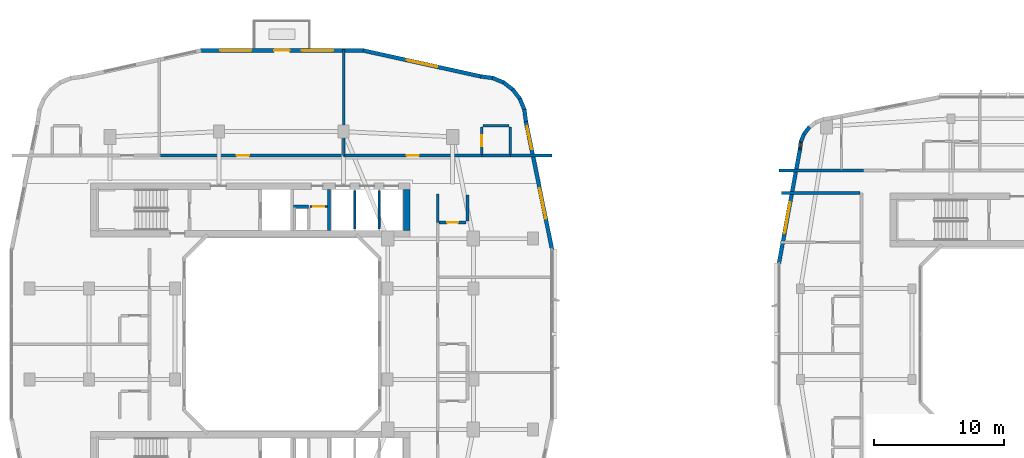
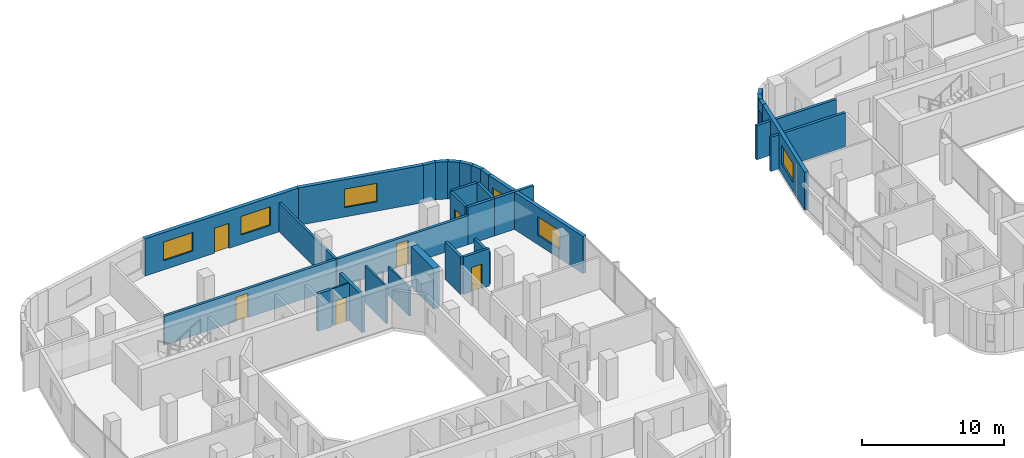
# One storey, part 13 of 24: 32 walls, 7 windows, 6 doors, 13 openings.
"""IFC4 building model written with IfcOpenShell, lengths in metres."""

import ifcopenshell
import ifcopenshell.guid

model = None  # the IFC model being written
_history = None  # IfcOwnerHistory: only IFC2X3 demands one
_inside = {}  # id of a spatial element -> (the spatial element, [elements in it])
_under = {}  # id of a project, library or spatial element -> (it, [spatial elements below it])
_declared = {}  # id of a project -> (the project, [libraries it declares])
_typed = {}  # id of a type object -> (the type object, [elements of that type])
_made_of = {}  # id of a material, layer set ... -> (it, [elements and type objects made of it])


def new_model(schema):
    """Start an empty IFC model of exactly this schema.

    Asked for "IFC4X3", IfcOpenShell would pick the latest addendum, in which some entities
    have other attributes; the version numbers below select the first issue.
    IFC2X3 requires an IfcOwnerHistory on every rooted entity: one is made here for all.
    """
    global model, _history
    if schema == "IFC4X3":
        model = ifcopenshell.file(schema_version=(4, 3, 0, 0))
    else:
        model = ifcopenshell.file(schema=schema)
    _inside.clear()
    _under.clear()
    _declared.clear()
    _typed.clear()
    _made_of.clear()
    _history = None
    if model.schema == "IFC2X3":
        org = make("IfcOrganization", Name="unknown")
        user = make(
            "IfcPersonAndOrganization",
            ThePerson=make("IfcPerson", FamilyName="unknown"),
            TheOrganization=org,
        )
        app = make(
            "IfcApplication",
            ApplicationDeveloper=org,
            Version="unknown",
            ApplicationFullName="unknown",
            ApplicationIdentifier="unknown",
        )
        _history = make(
            "IfcOwnerHistory",
            OwningUser=user,
            OwningApplication=app,
            ChangeAction="ADDED",
            CreationDate=0,
        )
    return model


def make(cls, **values):
    """One entity of the class cls with the attributes given. An attribute that is None is left unset."""
    return model.create_entity(
        cls, **{name: value for name, value in values.items() if value is not None}
    )


def rooted(cls, **values):
    """An entity with a GlobalId (a new one), such as an element, a storey or a relation."""
    return make(cls, GlobalId=ifcopenshell.guid.new(), OwnerHistory=_history, **values)


def si_unit(unit_type, name, prefix=None):
    """IfcSIUnit, for example si_unit("LENGTHUNIT", "METRE", prefix="MILLI")."""
    return make("IfcSIUnit", UnitType=unit_type, Prefix=prefix, Name=name)


def derived_unit(unit_type, elements):
    """IfcDerivedUnit: a product of units, each with its exponent."""
    return make(
        "IfcDerivedUnit",
        Elements=[
            make("IfcDerivedUnitElement", Unit=unit, Exponent=power)
            for unit, power in elements
        ],
        UnitType=unit_type,
    )


def assignment(units):
    """IfcUnitAssignment: the units of a project."""
    return None if units is None else make("IfcUnitAssignment", Units=units)


def point(xyz):
    """IfcCartesianPoint."""
    return None if xyz is None else make("IfcCartesianPoint", Coordinates=xyz)


def direction(xyz):
    """IfcDirection."""
    return None if xyz is None else make("IfcDirection", DirectionRatios=xyz)


def frame(location, z_axis=None, x_axis=None):
    """IfcAxis2Placement3D, a coordinate frame: its origin and axes. An axis left out is left unset."""
    return make(
        "IfcAxis2Placement3D",
        Location=point(location),
        Axis=direction(z_axis),
        RefDirection=direction(x_axis),
    )


def frame_2d(location, x_axis=None):
    """IfcAxis2Placement2D, a coordinate frame in the plane: its origin and x axis."""
    return make(
        "IfcAxis2Placement2D", Location=point(location), RefDirection=direction(x_axis)
    )


def origin():
    """The frame at (0, 0, 0) with its axes left unset."""
    return frame((0.0, 0.0, 0.0))


def place(relative_to, where):
    """IfcLocalPlacement: puts the frame where relative to a parent placement (None: the world)."""
    return make(
        "IfcLocalPlacement", PlacementRelTo=relative_to, RelativePlacement=where
    )


def context(
    kind, dimensions, precision=None, world=None, true_north=None, identifier=None
):
    """IfcGeometricRepresentationContext, for example the 3D "Model" context."""
    return make(
        "IfcGeometricRepresentationContext",
        ContextIdentifier=identifier,
        ContextType=kind,
        CoordinateSpaceDimension=dimensions,
        Precision=precision,
        WorldCoordinateSystem=world,
        TrueNorth=true_north,
    )


def subcontext(parent, identifier, kind, view, scale=None):
    """IfcGeometricRepresentationSubContext, for example "Body" below "Model"."""
    return make(
        "IfcGeometricRepresentationSubContext",
        ContextIdentifier=identifier,
        ContextType=kind,
        ParentContext=parent,
        TargetScale=scale,
        TargetView=view,
    )


def project(units=None, contexts=None):
    """IfcProject with its units and contexts."""
    return rooted(
        "IfcProject",
        Name="project",
        RepresentationContexts=contexts,
        UnitsInContext=assignment(units),
    )


def spatial(cls, under=None, at=None, **own):
    """A site, building, storey or space (cls), placed at a placement, below another one or the project."""
    s = rooted(cls, ObjectPlacement=at, **own)
    if under is not None:
        _under.setdefault(under.id(), (under, []))[1].append(s)
    return s


def profile(cls, at=None, kind="AREA", **sizes):
    """A parametric profile (cls). Its sizes go by their IFC names, for example OverallWidth=200.0."""
    return make(cls, ProfileType=kind, Position=at, **sizes)


def rectangle(**sizes):
    """IfcRectangleProfileDef."""
    return profile("IfcRectangleProfileDef", **sizes)


def extrude(swept, where, along, depth):
    """IfcExtrudedAreaSolid: the profile swept, set in the frame where, extruded along a direction by depth."""
    return make(
        "IfcExtrudedAreaSolid",
        SweptArea=swept,
        Position=where,
        ExtrudedDirection=direction(along),
        Depth=depth,
    )


def shape(context_of_items, identifier, shape_type, items):
    """IfcShapeRepresentation: the items that make up one representation, for example the "Body"."""
    return make(
        "IfcShapeRepresentation",
        ContextOfItems=context_of_items,
        RepresentationIdentifier=identifier,
        RepresentationType=shape_type,
        Items=items,
    )


def material(Name=None, Category=None):
    """IfcMaterial."""
    return make("IfcMaterial", Name=Name, Category=Category)


def layer(
    of_material, thickness, ventilated=None, Name=None, Category=None, Priority=None
):
    """IfcMaterialLayer: one layer of a wall or slab, of a material (None: an air gap)."""
    return make(
        "IfcMaterialLayer",
        Material=of_material,
        LayerThickness=thickness,
        IsVentilated=ventilated,
        Name=Name,
        Category=Category,
        Priority=Priority,
    )


def layer_set(layers, Name=None):
    """IfcMaterialLayerSet."""
    return make("IfcMaterialLayerSet", MaterialLayers=layers, LayerSetName=Name)


def made_of(thing, what):
    """Note that an element or type object is made of a material, layer set ...; save() writes the relation."""
    if what is not None:
        _made_of.setdefault(what.id(), (what, []))[1].append(thing)
    return thing


def type_object(cls, material=None, **own):
    """A type object (cls), such as IfcWallType, which elements share."""
    return made_of(rooted(cls, **own), material)


def element(
    cls,
    number,
    at=None,
    inside=None,
    cuts=None,
    type_object=None,
    material=None,
    context=None,
    identifier="Body",
    shape_type=None,
    held_by="IfcProductDefinitionShape",
    body=None,
    shapes=None,
    **own,
):
    """One element of the class cls, such as IfcWall. Its Tag is "e" and its number.

    at: its placement. inside: the storey or other place that contains it. cuts: it is an
    opening in that element (IfcRelVoidsElement). A single representation is given by context,
    identifier, shape_type and body (its items); several are given by shapes. held_by: the class
    of the entity that holds the representations. save() writes the other relations.
    """
    e = rooted(cls, Tag="e%d" % number, ObjectPlacement=at, **own)
    if body is not None:
        shapes = [shape(context, identifier, shape_type, body)]
    if shapes is not None:
        e.Representation = make(held_by, Representations=shapes)
    if inside is not None:
        _inside.setdefault(inside.id(), (inside, []))[1].append(e)
    if cuts is not None:
        rooted(
            "IfcRelVoidsElement", RelatingBuildingElement=cuts, RelatedOpeningElement=e
        )
    if type_object is not None:
        _typed.setdefault(type_object.id(), (type_object, []))[1].append(e)
    return made_of(e, material)


def fill(opening, filler):
    """IfcRelFillsElement: the door or window that sits in an opening."""
    return rooted(
        "IfcRelFillsElement",
        RelatingOpeningElement=opening,
        RelatedBuildingElement=filler,
    )


def aggregate(whole, parts):
    """IfcRelAggregates: a whole, such as a stair, and the parts it consists of."""
    return rooted("IfcRelAggregates", RelatingObject=whole, RelatedObjects=parts)


def save(model, path):
    """Write the relations noted so far, then the file.

    IfcRelAggregates (storeys below a building ...), IfcRelContainedInSpatialStructure (elements
    in a storey), IfcRelDefinesByType, IfcRelAssociatesMaterial and IfcRelDeclares: one each for
    every whole, place, type object, material and project.
    """
    for whole, parts in _under.values():
        aggregate(whole, parts)
    for where, things in _inside.values():
        rooted(
            "IfcRelContainedInSpatialStructure",
            RelatedElements=things,
            RelatingStructure=where,
        )
    for kind, things in _typed.values():
        rooted("IfcRelDefinesByType", RelatedObjects=things, RelatingType=kind)
    for what, things in _made_of.values():
        rooted("IfcRelAssociatesMaterial", RelatedObjects=things, RelatingMaterial=what)
    for by, libraries in _declared.values():
        rooted("IfcRelDeclares", RelatingContext=by, RelatedDefinitions=libraries)
    model.write(path)


model = new_model("IFC4")

# Units and contexts
model_context = context("Model", 3, precision=1e-05, world=origin(), true_north=direction((0.0, 1.0)))
body_context = subcontext(model_context, "Body", "Model", "MODEL_VIEW")
ifc_project = project(units=[si_unit("LENGTHUNIT", "METRE"), si_unit("AREAUNIT", "SQUARE_METRE"), si_unit("VOLUMEUNIT", "CUBIC_METRE"), si_unit("PLANEANGLEUNIT", "RADIAN"), si_unit("MASSUNIT", "GRAM", prefix="KILO"), derived_unit("THERMALTRANSMITTANCEUNIT", [(si_unit("POWERUNIT", "WATT"), 1), (si_unit("LENGTHUNIT", "METRE"), -2), (si_unit("THERMODYNAMICTEMPERATUREUNIT", "KELVIN"), -1)])], contexts=[model_context])

# Site, building, storey
site_placement = place(None, origin())
site = spatial("IfcSite", under=ifc_project, at=site_placement, CompositionType="ELEMENT")
building_placement = place(site_placement, origin())
building = spatial("IfcBuilding", under=site, at=building_placement, Name="Kivonza Crest Hotel", CompositionType="ELEMENT")
storey_placement = place(building_placement, frame((0.0, 0.0, 80.0)))
storey = spatial("IfcBuildingStorey", under=building, at=storey_placement, Name="L21", CompositionType="ELEMENT", Elevation=80.0)

# Wall
ifc_material_1 = material(Name="High-density acoustic masonry inter-tenancy wall", Category="masonry")
ifc_layer_1 = layer(ifc_material_1, 0.179931640625)
ifc_layer_set_1 = layer_set([ifc_layer_1], Name="High-density acoustic masonry inter-tenancy wall")
wall_type_1 = type_object("IfcWallType", Name="WL-ACOU-180", PredefinedType="SOLIDWALL", material=ifc_layer_set_1)
wall_1_placement = place(storey_placement, frame((25.800048828125, 38.75, 0.0), z_axis=(0.0, 0.0, 1.0), x_axis=(0.0, 1.0, 0.0)))
element("IfcWall", 1, at=wall_1_placement, inside=storey, type_object=wall_type_1, Name="L21 interior partition WA-L21-T1N-DIV2", PredefinedType="SOLIDWALL", context=body_context, shape_type="SweptSolid", body=[
    extrude(rectangle(XDim=8.18994140625, YDim=0.179931640625, at=frame_2d((4.094970703125, 0.0))), origin(), (0.0, 0.0, 1.0), 2.4951171875),
])

# Wall, opening, door
ifc_material_2 = material(Name="Autoclaved aerated concrete blockwork", Category="masonry")
ifc_layer_2 = layer(ifc_material_2, 0.219970703125)
ifc_layer_set_2 = layer_set([ifc_layer_2], Name="Autoclaved aerated concrete blockwork")
wall_type_2 = type_object("IfcWallType", Name="WL-ACOU-220", PredefinedType="SOLIDWALL", material=ifc_layer_set_2)
wall_2_placement = place(storey_placement, frame((11.699951171875, 38.75, 0.0), z_axis=(0.0, 0.0, 1.0), x_axis=(1.0, 0.0, 0.0)))
wall_2 = element("IfcWall", 2, at=wall_2_placement, inside=storey, type_object=wall_type_2, Name="L21 interior partition WA-L21-HK-MAIN-S", PredefinedType="SOLIDWALL", context=body_context, shape_type="SweptSolid", body=[
    extrude(rectangle(XDim=14.0, YDim=0.219970703125, at=frame_2d((7.0, 0.0))), origin(), (0.0, 0.0, 1.0), 2.4951171875),
])
opening_1_placement = place(wall_2_placement, frame((5.863037109375, 0.0, 0.0)))
opening_1 = element("IfcOpeningElement", 3, at=opening_1_placement, cuts=wall_2, Name="Opening DF-60S", PredefinedType="OPENING", context=body_context, shape_type="SweptSolid", body=[
    extrude(rectangle(XDim=0.949951171875, YDim=2.10009765625, at=frame_2d((0.47509765625, 1.050048828125))), frame((0.0, 0.1201171875, 0.0), z_axis=(0.0, -1.0, 0.0), x_axis=(1.0, 0.0, 0.0)), (0.0, 0.0, 1.0), 0.239990234375),
])
ifc_material_3 = material(Name="Hardwood timber oak", Category="wood")
door_type_1 = type_object("IfcDoorType", Name="DR-FD60-950", OperationType="NOTDEFINED", PredefinedType="DOOR", material=ifc_material_3)
door_1_placement = place(opening_1_placement, origin())
door_1 = element("IfcDoor", 4, at=door_1_placement, inside=storey, type_object=door_type_1, Name="L21 Housekeeping and Linen Room door", OperationType="SINGLE_SWING_RIGHT", OverallHeight=2.10009765625, OverallWidth=0.949951171875, PredefinedType="DOOR", context=body_context, shape_type="SweptSolid", body=[
    extrude(rectangle(XDim=0.949951171875, YDim=2.10009765625, at=frame_2d((0.47509765625, 1.050048828125))), frame((0.0, 0.02490234375, 0.0), z_axis=(0.0, -1.0, 0.0), x_axis=(1.0, 0.0, 0.0)), (0.0, 0.0, 1.0), 0.050048828125),
])
fill(opening_1, door_1)

# Walls
wall_3_placement = place(storey_placement, frame((38.64990234375, 38.75, 0.0), z_axis=(0.0, 0.0, 1.0), x_axis=(1.0, 0.0, 0.0)))
element("IfcWall", 5, at=wall_3_placement, inside=storey, type_object=wall_type_2, Name="L21 interior partition WA-L21-N02-XCORR", PredefinedType="SOLIDWALL", context=body_context, shape_type="SweptSolid", body=[
    extrude(rectangle(XDim=3.190185546875, YDim=0.219970703125, at=frame_2d((1.59521484375, 0.0))), origin(), (0.0, 0.0, 1.0), 3.219970703125),
])
wall_4_placement = place(storey_placement, frame((36.449951171875, 38.75, 0.0), z_axis=(0.0, 0.0, 1.0), x_axis=(1.0, 0.0, 0.0)))
element("IfcWall", 6, at=wall_4_placement, inside=storey, type_object=wall_type_2, Name="L21 interior partition WA-L21-N02-BCORR", PredefinedType="SOLIDWALL", context=body_context, shape_type="SweptSolid", body=[
    extrude(rectangle(XDim=2.199951171875, YDim=0.219970703125, at=frame_2d((1.10009765625, 0.0))), origin(), (0.0, 0.0, 1.0), 3.219970703125),
])

# Wall, opening, door
wall_5_placement = place(storey_placement, frame((25.800048828125, 38.75, 0.0), z_axis=(0.0, 0.0, 1.0), x_axis=(1.0, 0.0, 0.0)))
wall_5 = element("IfcWall", 7, at=wall_5_placement, inside=storey, type_object=wall_type_2, Name="L21 interior partition WA-L21-N02-MCORR", PredefinedType="SOLIDWALL", context=body_context, shape_type="SweptSolid", body=[
    extrude(rectangle(XDim=10.64990234375, YDim=0.219970703125, at=frame_2d((5.324951171875, 0.0))), origin(), (0.0, 0.0, 1.0), 2.4951171875),
])
opening_2_placement = place(wall_5_placement, frame((4.85009765625, 0.0, 0.0)))
opening_2 = element("IfcOpeningElement", 8, at=opening_2_placement, cuts=wall_5, Name="Opening DU-60", PredefinedType="OPENING", context=body_context, shape_type="SweptSolid", body=[
    extrude(rectangle(XDim=0.949951171875, YDim=2.10009765625, at=frame_2d((0.47509765625, 1.050048828125))), frame((0.0, 0.1201171875, 0.0), z_axis=(0.0, -1.0, 0.0), x_axis=(1.0, 0.0, 0.0)), (0.0, 0.0, 1.0), 0.239990234375),
])
door_type_2 = type_object("IfcDoorType", Name="DR-UNIT-950", OperationType="NOTDEFINED", PredefinedType="DOOR", material=ifc_material_3)
door_2_placement = place(opening_2_placement, origin())
door_2 = element("IfcDoor", 9, at=door_2_placement, inside=storey, type_object=door_type_2, Name="L21 N02 guest unit entrance fire door", OperationType="SINGLE_SWING_RIGHT", OverallHeight=2.10009765625, OverallWidth=0.949951171875, PredefinedType="DOOR", context=body_context, shape_type="SweptSolid", body=[
    extrude(rectangle(XDim=0.949951171875, YDim=2.10009765625, at=frame_2d((0.47509765625, 1.050048828125))), frame((0.0, 0.02490234375, 0.0), z_axis=(0.0, -1.0, 0.0), x_axis=(1.0, 0.0, 0.0)), (0.0, 0.0, 1.0), 0.050048828125),
])
fill(opening_2, door_2)

# Walls
wall_6_placement = place(storey_placement, frame((33.050048828125, 33.60009765625, 0.0), z_axis=(0.0, 0.0, 1.0), x_axis=(0.0, 1.0, 0.0)))
element("IfcWall", 10, at=wall_6_placement, inside=storey, type_object=wall_type_2, Name="L21 interior partition WA-L21-E10-BCORR", PredefinedType="SOLIDWALL", context=body_context, shape_type="SweptSolid", body=[
    extrude(rectangle(XDim=2.199951171875, YDim=0.219970703125, at=frame_2d((1.10009765625, 0.0))), origin(), (0.0, 0.0, 1.0), 3.219970703125),
])
wall_7_placement = place(storey_placement, frame((59.360107421875, 37.60009765625, 0.0), z_axis=(0.0, 0.0, 1.0), x_axis=(1.0, 0.0, 0.0)))
element("IfcWall", 11, at=wall_7_placement, inside=storey, type_object=wall_type_2, Name="L21 interior partition WA-L21-A01-LCORR", PredefinedType="SOLIDWALL", context=body_context, shape_type="SweptSolid", body=[
    extrude(rectangle(XDim=6.489990234375, YDim=0.219970703125, at=frame_2d((3.2451171875, 0.0))), origin(), (0.0, 0.0, 1.0), 2.945068359375),
])
wall_8_placement = place(storey_placement, frame((59.52001953125, 35.860107421875, 0.0), z_axis=(0.0, 0.0, 1.0), x_axis=(1.0, 0.0, 0.0)))
element("IfcWall", 12, at=wall_8_placement, inside=storey, type_object=wall_type_2, Name="L21 interior partition WA-L21-T2W-ENDN", PredefinedType="SOLIDWALL", context=body_context, shape_type="SweptSolid", body=[
    extrude(rectangle(XDim=6.080078125, YDim=0.219970703125, at=frame_2d((3.0400390625, 0.0))), origin(), (0.0, 0.0, 1.0), 2.945068359375),
])
ifc_material_4 = material(Name="Concrete C60/75", Category="concrete")
ifc_layer_3 = layer(ifc_material_4, 0.5)
ifc_layer_set_3 = layer_set([ifc_layer_3], Name="Concrete C60/75")
wall_type_3 = type_object("IfcWallType", Name="WL-CORE-500", PredefinedType="SHEAR", material=ifc_layer_set_3)
wall_9_placement = place(storey_placement, frame((30.64990234375, 33.0, 0.0), z_axis=(0.0, 0.0, 1.0), x_axis=(0.0, 1.0, 0.0)))
element("IfcWall", 13, at=wall_9_placement, inside=storey, type_object=wall_type_3, Name="Core wall T1-N East L21", PredefinedType="SHEAR", context=body_context, shape_type="SweptSolid", body=[
    extrude(rectangle(XDim=3.159912109375, YDim=0.5, at=frame_2d((1.580078125, 0.0))), origin(), (0.0, 0.0, 1.0), 3.5),
])

# Wall, openings, windows
ifc_material_5 = material(Name="Precast concrete C40/50", Category="concrete")
ifc_layer_4 = layer(ifc_material_5, 0.300048828125)
ifc_layer_set_4 = layer_set([ifc_layer_4], Name="Precast concrete C40/50")
wall_type_4 = type_object("IfcWallType", Name="WL-EXT-300", PredefinedType="STANDARD", material=ifc_layer_set_4)
wall_10_placement = place(storey_placement, frame((41.864013671875, 31.51611328125, 0.0), z_axis=(0.0, 0.0, 1.0), x_axis=(-0.199990901713, 0.979797754249, 0.0)))
wall_10 = element("IfcWall", 14, at=wall_10_placement, inside=storey, type_object=wall_type_4, Name="L21 T1 exterior insulated wall 18", PredefinedType="STANDARD", context=body_context, shape_type="SweptSolid", body=[
    extrude(rectangle(XDim=10.065185546875, YDim=0.300048828125, at=frame_2d((5.03271484375, 0.0))), origin(), (0.0, 0.0, 1.0), 3.219970703125),
])
opening_3_placement = place(wall_10_placement, frame((2.428955078125, 0.0, 0.800048828125)))
opening_3 = element("IfcOpeningElement", 15, at=opening_3_placement, cuts=wall_10, Name="Opening WN-05", PredefinedType="OPENING", context=body_context, shape_type="SweptSolid", body=[
    extrude(rectangle(XDim=2.39990234375, YDim=1.60009765625, at=frame_2d((1.199951171875, 0.800048828125))), frame((0.0, 0.16015625, 0.0), z_axis=(0.0, -1.0, 0.0), x_axis=(1.0, 0.0, 0.0)), (0.0, 0.0, 1.0), 0.320068359375),
])
opening_4_placement = place(wall_10_placement, frame((7.886962890625, 0.0, 0.85009765625)))
opening_4 = element("IfcOpeningElement", 16, at=opening_4_placement, cuts=wall_10, Name="Opening WN-03", PredefinedType="OPENING", context=body_context, shape_type="SweptSolid", body=[
    extrude(rectangle(XDim=1.800048828125, YDim=1.5, at=frame_2d((0.89990234375, 0.75))), frame((0.0, 0.16015625, 0.0), z_axis=(0.0, -1.0, 0.0), x_axis=(1.0, 0.0, 0.0)), (0.0, 0.0, 1.0), 0.320068359375),
])
ifc_material_6 = material(Name="Thermally broken bronze aluminium and low-E double glazing", Category="aluminium")
window_type_1 = type_object("IfcWindowType", Name="WN-180x150", PartitioningType="DOUBLE_PANEL_VERTICAL", PredefinedType="WINDOW", material=ifc_material_6)
window_1_placement = place(opening_4_placement, origin())
window_1 = element("IfcWindow", 17, at=window_1_placement, inside=storey, type_object=window_type_1, Name="L21 T1 facade window 18 bay 2", OverallHeight=1.5, OverallWidth=1.800048828125, PartitioningType="SINGLE_PANEL", PredefinedType="WINDOW", context=body_context, shape_type="SweptSolid", body=[
    extrude(rectangle(XDim=1.800048828125, YDim=1.5, at=frame_2d((0.89990234375, 0.75))), frame((0.0, 0.030029296875, 0.0), z_axis=(0.0, -1.0, 0.0), x_axis=(1.0, 0.0, 0.0)), (0.0, 0.0, 1.0), 0.06005859375),
])
fill(opening_4, window_1)
window_type_2 = type_object("IfcWindowType", Name="WN-240x160", PartitioningType="TRIPLE_PANEL_VERTICAL", PredefinedType="WINDOW", material=ifc_material_6)
window_2_placement = place(opening_3_placement, origin())
window_2 = element("IfcWindow", 18, at=window_2_placement, inside=storey, type_object=window_type_2, Name="L21 T1 facade window 18 bay 1", OverallHeight=1.60009765625, OverallWidth=2.39990234375, PartitioningType="SINGLE_PANEL", PredefinedType="WINDOW", context=body_context, shape_type="SweptSolid", body=[
    extrude(rectangle(XDim=2.39990234375, YDim=1.60009765625, at=frame_2d((1.199951171875, 0.800048828125))), frame((0.0, 0.030029296875, 0.0), z_axis=(0.0, -1.0, 0.0), x_axis=(1.0, 0.0, 0.0)), (0.0, 0.0, 1.0), 0.06005859375),
])
fill(opening_3, window_2)

# Walls
wall_11_placement = place(storey_placement, frame((39.85205078125, 41.3720703125, 0.0), z_axis=(0.0, 0.0, 1.0), x_axis=(-0.131174864804, 0.991359246108, 0.0)))
element("IfcWall", 19, at=wall_11_placement, inside=storey, type_object=wall_type_4, Name="L21 T1 exterior insulated wall 19", PredefinedType="STANDARD", context=body_context, shape_type="SweptSolid", body=[
    extrude(rectangle(XDim=0.93798828125, YDim=0.300048828125, at=frame_2d((0.468994140625, 0.0))), origin(), (0.0, 0.0, 1.0), 3.219970703125),
])
wall_12_placement = place(storey_placement, frame((39.748046875, 42.251953125, 0.0), z_axis=(0.0, 0.0, 1.0), x_axis=(-0.382344263057, 0.924019948111, 0.0)))
element("IfcWall", 20, at=wall_12_placement, inside=storey, type_object=wall_type_4, Name="L21 T1 exterior insulated wall 20", PredefinedType="STANDARD", context=body_context, shape_type="SweptSolid", body=[
    extrude(rectangle(XDim=0.95458984375, YDim=0.300048828125, at=frame_2d((0.477294921875, 0.0))), origin(), (0.0, 0.0, 1.0), 3.219970703125),
])
wall_13_placement = place(storey_placement, frame((39.4140625, 43.089111328125, 0.0), z_axis=(0.0, 0.0, 1.0), x_axis=(-0.608474481025, 0.793573440799, 0.0)))
element("IfcWall", 21, at=wall_13_placement, inside=storey, type_object=wall_type_4, Name="L21 T1 exterior insulated wall 21", PredefinedType="STANDARD", context=body_context, shape_type="SweptSolid", body=[
    extrude(rectangle(XDim=0.954833984375, YDim=0.300048828125, at=frame_2d((0.4775390625, 0.0))), origin(), (0.0, 0.0, 1.0), 3.219970703125),
])
wall_14_placement = place(storey_placement, frame((38.875, 43.81201171875, 0.0), z_axis=(0.0, 0.0, 1.0), x_axis=(-0.793668068435, 0.608351047625, 0.0)))
element("IfcWall", 22, at=wall_14_placement, inside=storey, type_object=wall_type_4, Name="L21 T1 exterior insulated wall 22", PredefinedType="STANDARD", context=body_context, shape_type="SweptSolid", body=[
    extrude(rectangle(XDim=0.955078125, YDim=0.300048828125, at=frame_2d((0.4775390625, 0.0))), origin(), (0.0, 0.0, 1.0), 3.219970703125),
])
wall_15_placement = place(storey_placement, frame((38.166015625, 44.368896484375, 0.0), z_axis=(0.0, 0.0, 1.0), x_axis=(-0.924019948111, 0.382344263057, 0.0)))
element("IfcWall", 23, at=wall_15_placement, inside=storey, type_object=wall_type_4, Name="L21 T1 exterior insulated wall 23", PredefinedType="STANDARD", context=body_context, shape_type="SweptSolid", body=[
    extrude(rectangle(XDim=0.95458984375, YDim=0.300048828125, at=frame_2d((0.477294921875, 0.0))), origin(), (0.0, 0.0, 1.0), 3.219970703125),
])
wall_16_placement = place(storey_placement, frame((37.3369140625, 44.72509765625, 0.0), z_axis=(0.0, 0.0, 1.0), x_axis=(-0.991454295543, 0.130454512571, 0.0)))
element("IfcWall", 24, at=wall_16_placement, inside=storey, type_object=wall_type_4, Name="L21 T1 exterior insulated wall 24", PredefinedType="STANDARD", context=body_context, shape_type="SweptSolid", body=[
    extrude(rectangle(XDim=0.97314453125, YDim=0.300048828125, at=frame_2d((0.486572265625, 0.0))), origin(), (0.0, 0.0, 1.0), 3.219970703125),
])

# Wall, opening, window
wall_17_placement = place(storey_placement, frame((36.3759765625, 44.85205078125, 0.0), z_axis=(0.0, 0.0, 1.0), x_axis=(-0.976540764801, 0.215332614068, 0.0)))
wall_17 = element("IfcWall", 25, at=wall_17_placement, inside=storey, type_object=wall_type_4, Name="L21 T1 exterior insulated wall 25", PredefinedType="STANDARD", context=body_context, shape_type="SweptSolid", body=[
    extrude(rectangle(XDim=9.287841796875, YDim=0.300048828125, at=frame_2d((4.64404296875, 0.0))), origin(), (0.0, 0.0, 1.0), 3.219970703125),
])
opening_5_placement = place(wall_17_placement, frame((3.444091796875, 0.0, 0.800048828125)))
opening_5 = element("IfcOpeningElement", 26, at=opening_5_placement, cuts=wall_17, Name="Opening WN-05", PredefinedType="OPENING", context=body_context, shape_type="SweptSolid", body=[
    extrude(rectangle(XDim=2.39990234375, YDim=1.60009765625, at=frame_2d((1.199951171875, 0.800048828125))), frame((0.0, 0.16015625, 0.0), z_axis=(0.0, -1.0, 0.0), x_axis=(1.0, 0.0, 0.0)), (0.0, 0.0, 1.0), 0.320068359375),
])
window_3_placement = place(opening_5_placement, origin())
window_3 = element("IfcWindow", 27, at=window_3_placement, inside=storey, type_object=window_type_2, Name="L21 T1 facade window 25", OverallHeight=1.60009765625, OverallWidth=2.39990234375, PartitioningType="SINGLE_PANEL", PredefinedType="WINDOW", context=body_context, shape_type="SweptSolid", body=[
    extrude(rectangle(XDim=2.39990234375, YDim=1.60009765625, at=frame_2d((1.199951171875, 0.800048828125))), frame((0.0, 0.030029296875, 0.0), z_axis=(0.0, -1.0, 0.0), x_axis=(1.0, 0.0, 0.0)), (0.0, 0.0, 1.0), 0.06005859375),
])
fill(opening_5, window_3)

# Wall, openings, door, windows
wall_18_placement = place(storey_placement, frame((27.35302734375, 46.85009765625, 0.0), z_axis=(0.0, 0.0, 1.0), x_axis=(-1.0, 0.0, 0.0)))
wall_18 = element("IfcWall", 28, at=wall_18_placement, inside=storey, type_object=wall_type_4, Name="L21 T1 exterior insulated wall 26", PredefinedType="STANDARD", context=body_context, shape_type="SweptSolid", body=[
    extrude(rectangle(XDim=12.591064453125, YDim=0.300048828125, at=frame_2d((6.29541015625, 0.0))), origin(), (0.0, 0.0, 1.0), 3.219970703125),
])
opening_6_placement = place(wall_18_placement, frame((5.712890625, 0.0, 0.0)))
opening_6 = element("IfcOpeningElement", 29, at=opening_6_placement, cuts=wall_18, Name="Opening DT-120", PredefinedType="OPENING", context=body_context, shape_type="SweptSolid", body=[
    extrude(rectangle(XDim=1.199951171875, YDim=2.14990234375, at=frame_2d((0.60009765625, 1.074951171875))), frame((0.0, 0.16015625, 0.0), z_axis=(0.0, -1.0, 0.0), x_axis=(1.0, 0.0, 0.0)), (0.0, 0.0, 1.0), 0.320068359375),
])
opening_7_placement = place(wall_18_placement, frame((2.35791015625, 0.0, 0.800048828125)))
opening_7 = element("IfcOpeningElement", 30, at=opening_7_placement, cuts=wall_18, Name="Opening WN-05", PredefinedType="OPENING", context=body_context, shape_type="SweptSolid", body=[
    extrude(rectangle(XDim=2.39990234375, YDim=1.60009765625, at=frame_2d((1.199951171875, 0.800048828125))), frame((0.0, 0.16015625, 0.0), z_axis=(0.0, -1.0, 0.0), x_axis=(1.0, 0.0, 0.0)), (0.0, 0.0, 1.0), 0.320068359375),
])
opening_8_placement = place(wall_18_placement, frame((8.656982421875, 0.0, 0.800048828125)))
opening_8 = element("IfcOpeningElement", 31, at=opening_8_placement, cuts=wall_18, Name="Opening WN-05", PredefinedType="OPENING", context=body_context, shape_type="SweptSolid", body=[
    extrude(rectangle(XDim=2.39990234375, YDim=1.60009765625, at=frame_2d((1.199951171875, 0.800048828125))), frame((0.0, 0.16015625, 0.0), z_axis=(0.0, -1.0, 0.0), x_axis=(1.0, 0.0, 0.0)), (0.0, 0.0, 1.0), 0.320068359375),
])
ifc_material_7 = material(Name="Anodised bronze aluminium and laminated safety glass", Category="aluminium")
door_type_3 = type_object("IfcDoorType", Name="DR-TERR-1200", OperationType="NOTDEFINED", PredefinedType="DOOR", material=ifc_material_7)
door_3_placement = place(opening_6_placement, frame((1.199951171875, 0.0, 0.0), z_axis=(0.0, 0.0, 1.0), x_axis=(-1.0, 0.0, 0.0)))
door_3 = element("IfcDoor", 32, at=door_3_placement, inside=storey, type_object=door_type_3, Name="T1 L21 NE sky-garden bridge access door", OperationType="SINGLE_SWING_LEFT", OverallHeight=2.14990234375, OverallWidth=1.199951171875, PredefinedType="DOOR", context=body_context, shape_type="SweptSolid", body=[
    extrude(rectangle(XDim=1.199951171875, YDim=2.14990234375, at=frame_2d((0.60009765625, 1.074951171875))), frame((0.0, 0.02490234375, 0.0), z_axis=(0.0, -1.0, 0.0), x_axis=(1.0, 0.0, 0.0)), (0.0, 0.0, 1.0), 0.050048828125),
])
fill(opening_6, door_3)
window_4_placement = place(opening_7_placement, origin())
window_4 = element("IfcWindow", 33, at=window_4_placement, inside=storey, type_object=window_type_2, Name="L21 T1 facade window 26 bay 1", OverallHeight=1.60009765625, OverallWidth=2.39990234375, PartitioningType="SINGLE_PANEL", PredefinedType="WINDOW", context=body_context, shape_type="SweptSolid", body=[
    extrude(rectangle(XDim=2.39990234375, YDim=1.60009765625, at=frame_2d((1.199951171875, 0.800048828125))), frame((0.0, 0.030029296875, 0.0), z_axis=(0.0, -1.0, 0.0), x_axis=(1.0, 0.0, 0.0)), (0.0, 0.0, 1.0), 0.06005859375),
])
fill(opening_7, window_4)
window_5_placement = place(opening_8_placement, origin())
window_5 = element("IfcWindow", 34, at=window_5_placement, inside=storey, type_object=window_type_2, Name="L21 T1 facade window 26 bay 2", OverallHeight=1.60009765625, OverallWidth=2.39990234375, PartitioningType="SINGLE_PANEL", PredefinedType="WINDOW", context=body_context, shape_type="SweptSolid", body=[
    extrude(rectangle(XDim=2.39990234375, YDim=1.60009765625, at=frame_2d((1.199951171875, 0.800048828125))), frame((0.0, 0.030029296875, 0.0), z_axis=(0.0, -1.0, 0.0), x_axis=(1.0, 0.0, 0.0)), (0.0, 0.0, 1.0), 0.06005859375),
])
fill(opening_8, window_5)

# Walls
for number, where, z_axis, x_axis, name in (
    (35, (61.696044921875, 40.967041015625, 0.0), (0.0, 0.0, 1.0), (-0.609693758543, -0.792637067512, 0.0), "L21 T2 exterior insulated wall 31"),
    (36, (61.297119140625, 40.466064453125, 0.0), (0.0, 0.0, 1.0), (-0.382165294877, -0.924093981904, 0.0), "L21 T2 exterior insulated wall 32"),
):
    element("IfcWall", number, at=place(storey_placement, frame(where, z_axis=z_axis, x_axis=x_axis)), inside=storey, type_object=wall_type_4, Name=name, PredefinedType="STANDARD", context=body_context, shape_type="SweptSolid", body=[
        extrude(rectangle(XDim=0.69384765625, YDim=0.300048828125, at=frame_2d((0.346923828125, 0.0))), origin(), (0.0, 0.0, 1.0), 3.25),
    ])

# Wall, opening, window
wall_19_placement = place(storey_placement, frame((61.041015625, 39.8779296875, 0.0), z_axis=(0.0, 0.0, 1.0), x_axis=(-0.130658543777, -0.991427427974, 0.0)))
wall_19 = element("IfcWall", 37, at=wall_19_placement, inside=storey, type_object=wall_type_4, Name="L21 T2 exterior insulated wall 33", PredefinedType="STANDARD", context=body_context, shape_type="SweptSolid", body=[
    extrude(rectangle(XDim=0.7119140625, YDim=0.300048828125, at=frame_2d((0.35595703125, 0.0))), origin(), (0.0, 0.0, 1.0), 3.25),
])
opening_9_placement = place(wall_19_placement, frame((0.131103515625, 0.0, 0.85009765625)))
opening_9 = element("IfcOpeningElement", 38, at=opening_9_placement, cuts=wall_19, Name="Opening WN-11", PredefinedType="OPENING", context=body_context, shape_type="SweptSolid", body=[
    extrude(rectangle(XDim=0.449951171875, YDim=1.5, at=frame_2d((0.22509765625, 0.75))), frame((0.0, 0.16015625, 0.0), z_axis=(0.0, -1.0, 0.0), x_axis=(1.0, 0.0, 0.0)), (0.0, 0.0, 1.0), 0.320068359375),
])
window_type_3 = type_object("IfcWindowType", Name="WN-045x150", PartitioningType="SINGLE_PANEL", PredefinedType="WINDOW", material=ifc_material_6)
window_6_placement = place(opening_9_placement, origin())
window_6 = element("IfcWindow", 39, at=window_6_placement, inside=storey, type_object=window_type_3, Name="L21 corner vision window 1", OverallHeight=1.5, OverallWidth=0.449951171875, PartitioningType="SINGLE_PANEL", PredefinedType="WINDOW", context=body_context, shape_type="SweptSolid", body=[
    extrude(rectangle(XDim=0.449951171875, YDim=1.5, at=frame_2d((0.22509765625, 0.75))), frame((0.0, 0.030029296875, 0.0), z_axis=(0.0, -1.0, 0.0), x_axis=(1.0, 0.0, 0.0)), (0.0, 0.0, 1.0), 0.06005859375),
])
fill(opening_9, window_6)

wall_20_placement = place(storey_placement, frame((60.948974609375, 39.180908203125, 0.0), z_axis=(0.0, 0.0, 1.0), x_axis=(-0.181241420611, -0.983438634311, 0.0)))
wall_20 = element("IfcWall", 40, at=wall_20_placement, inside=storey, type_object=wall_type_4, Name="L21 T2 exterior insulated wall 34", PredefinedType="STANDARD", context=body_context, shape_type="SweptSolid", body=[
    extrude(rectangle(XDim=8.88916015625, YDim=0.300048828125, at=frame_2d((4.444580078125, 0.0))), origin(), (0.0, 0.0, 1.0), 3.25),
])
opening_10_placement = place(wall_20_placement, frame((4.10888671875, 0.0, 0.800048828125)))
opening_10 = element("IfcOpeningElement", 41, at=opening_10_placement, cuts=wall_20, Name="Opening WN-05", PredefinedType="OPENING", context=body_context, shape_type="SweptSolid", body=[
    extrude(rectangle(XDim=2.39990234375, YDim=1.60009765625, at=frame_2d((1.199951171875, 0.800048828125))), frame((0.0, 0.16015625, 0.0), z_axis=(0.0, -1.0, 0.0), x_axis=(1.0, 0.0, 0.0)), (0.0, 0.0, 1.0), 0.320068359375),
])
window_7_placement = place(opening_10_placement, origin())
window_7 = element("IfcWindow", 42, at=window_7_placement, inside=storey, type_object=window_type_2, Name="L21 T2 facade window 34", OverallHeight=1.60009765625, OverallWidth=2.39990234375, PartitioningType="SINGLE_PANEL", PredefinedType="WINDOW", context=body_context, shape_type="SweptSolid", body=[
    extrude(rectangle(XDim=2.39990234375, YDim=1.60009765625, at=frame_2d((1.199951171875, 0.800048828125))), frame((0.0, 0.030029296875, 0.0), z_axis=(0.0, -1.0, 0.0), x_axis=(1.0, 0.0, 0.0)), (0.0, 0.0, 1.0), 0.06005859375),
])
fill(opening_10, window_7)

# Wall
ifc_material_8 = material(Name="Concrete blockwork fire-compartment wall", Category="masonry")
ifc_layer_5 = layer(ifc_material_8, 0.25)
ifc_layer_set_5 = layer_set([ifc_layer_5], Name="Concrete blockwork fire-compartment wall")
wall_type_5 = type_object("IfcWallType", Name="WL-FIRE-250", PredefinedType="SOLIDWALL", material=ifc_layer_set_5)
wall_21_placement = place(storey_placement, frame((21.949951171875, 34.820068359375, 0.0), z_axis=(0.0, 0.0, 1.0), x_axis=(1.0, 0.0, 0.0)))
element("IfcWall", 43, at=wall_21_placement, inside=storey, type_object=wall_type_5, Name="L21 interior partition WA-L21-T1-N-MEPR-H", PredefinedType="SOLIDWALL", context=body_context, shape_type="SweptSolid", body=[
    extrude(rectangle(XDim=1.150146484375, YDim=0.25, at=frame_2d((0.5751953125, 0.0))), origin(), (0.0, 0.0, 1.0), 3.219970703125),
])

# Wall, opening, door
ifc_material_9 = material(Name="Metal-stud gypsum board partition", Category="gypsum")
ifc_layer_6 = layer(ifc_material_9, 0.125)
ifc_layer_set_6 = layer_set([ifc_layer_6], Name="Metal-stud gypsum board partition")
wall_type_6 = type_object("IfcWallType", Name="WL-PART-125", PredefinedType="PARTITIONING", material=ifc_layer_set_6)
wall_22_placement = place(storey_placement, frame((23.219970703125, 34.820068359375, 0.0), z_axis=(0.0, 0.0, 1.0), x_axis=(1.0, 0.0, 0.0)))
wall_22 = element("IfcWall", 44, at=wall_22_placement, inside=storey, type_object=wall_type_6, Name="L21 interior partition WP-L21-T1-N-SV3H", PredefinedType="PARTITIONING", context=body_context, shape_type="SweptSolid", body=[
    extrude(rectangle(XDim=1.330078125, YDim=0.125, at=frame_2d((0.6650390625, 0.0))), origin(), (0.0, 0.0, 1.0), 3.219970703125),
])
opening_11_placement = place(wall_22_placement, frame((0.239990234375, 0.0, 0.0)))
opening_11 = element("IfcOpeningElement", 45, at=opening_11_placement, cuts=wall_22, Name="Opening DI-85", PredefinedType="OPENING", context=body_context, shape_type="SweptSolid", body=[
    extrude(rectangle(XDim=0.85009765625, YDim=2.10009765625, at=frame_2d((0.425048828125, 1.050048828125))), frame((0.0, 0.072509765625, 0.0), z_axis=(0.0, -1.0, 0.0), x_axis=(1.0, 0.0, 0.0)), (0.0, 0.0, 1.0), 0.14501953125),
])
door_type_4 = type_object("IfcDoorType", Name="DR-INT-850", OperationType="NOTDEFINED", PredefinedType="DOOR", material=ifc_material_3)
door_4_placement = place(opening_11_placement, origin())
door_4 = element("IfcDoor", 46, at=door_4_placement, inside=storey, type_object=door_type_4, Name="L21 T1-N inner manifold door", OperationType="SINGLE_SWING_LEFT", OverallHeight=2.10009765625, OverallWidth=0.85009765625, PredefinedType="DOOR", context=body_context, shape_type="SweptSolid", body=[
    extrude(rectangle(XDim=0.85009765625, YDim=2.10009765625, at=frame_2d((0.425048828125, 1.050048828125))), frame((0.0, 0.02490234375, 0.0), z_axis=(0.0, -1.0, 0.0), x_axis=(1.0, 0.0, 0.0)), (0.0, 0.0, 1.0), 0.050048828125),
])
fill(opening_11, door_4)

# Walls
ifc_material_10 = material(Name="Twin-stud acoustic gypsum board partition", Category="gypsum")
ifc_layer_7 = layer(ifc_material_10, 0.14990234375)
ifc_layer_set_7 = layer_set([ifc_layer_7], Name="Twin-stud acoustic gypsum board partition")
wall_type_7 = type_object("IfcWallType", Name="WL-PART-150", PredefinedType="PARTITIONING", material=ifc_layer_set_7)
wall_23_placement = place(storey_placement, frame((26.6669921875, 33.10009765625, 0.0), z_axis=(0.0, 0.0, 1.0), x_axis=(0.0, 1.0, 0.0)))
element("IfcWall", 47, at=wall_23_placement, inside=storey, type_object=wall_type_7, Name="L21 interior partition WP-L21-T1-N-BSH-1", PredefinedType="PARTITIONING", context=body_context, shape_type="SweptSolid", body=[
    extrude(rectangle(XDim=2.9599609375, YDim=0.14990234375, at=frame_2d((1.47998046875, 0.0))), origin(), (0.0, 0.0, 1.0), 3.219970703125),
])
wall_24_placement = place(storey_placement, frame((28.532958984375, 33.10009765625, 0.0), z_axis=(0.0, 0.0, 1.0), x_axis=(0.0, 1.0, 0.0)))
element("IfcWall", 48, at=wall_24_placement, inside=storey, type_object=wall_type_7, Name="L21 interior partition WP-L21-T1-N-BSH-2", PredefinedType="PARTITIONING", context=body_context, shape_type="SweptSolid", body=[
    extrude(rectangle(XDim=2.9599609375, YDim=0.14990234375, at=frame_2d((1.47998046875, 0.0))), origin(), (0.0, 0.0, 1.0), 2.4951171875),
])

# Wall, opening, door
ifc_material_11 = material(Name="Moisture-resistant plumbing chase partition wall", Category="gypsum")
ifc_layer_8 = layer(ifc_material_11, 0.199951171875)
ifc_layer_set_8 = layer_set([ifc_layer_8], Name="Moisture-resistant plumbing chase partition wall")
wall_type_8 = type_object("IfcWallType", Name="WL-PLUMB-200", PredefinedType="PLUMBINGWALL", material=ifc_layer_set_8)
wall_25_placement = place(storey_placement, frame((36.449951171875, 38.85009765625, 0.0), z_axis=(0.0, 0.0, 1.0), x_axis=(0.0, 1.0, 0.0)))
wall_25 = element("IfcWall", 49, at=wall_25_placement, inside=storey, type_object=wall_type_8, Name="L21 interior partition WW-L21-N02-BV", PredefinedType="PLUMBINGWALL", context=body_context, shape_type="SweptSolid", body=[
    extrude(rectangle(XDim=2.099853515625, YDim=0.199951171875, at=frame_2d((1.0498046875, 0.0))), origin(), (0.0, 0.0, 1.0), 3.219970703125),
])
opening_12_placement = place(wall_25_placement, frame((0.625, 0.0, 0.0)))
opening_12 = element("IfcOpeningElement", 50, at=opening_12_placement, cuts=wall_25, Name="Opening DI-85", PredefinedType="OPENING", context=body_context, shape_type="SweptSolid", body=[
    extrude(rectangle(XDim=0.85009765625, YDim=2.10009765625, at=frame_2d((0.425048828125, 1.050048828125))), frame((0.0, 0.10986328125, 0.0), z_axis=(0.0, -1.0, 0.0), x_axis=(1.0, 0.0, 0.0)), (0.0, 0.0, 1.0), 0.219970703125),
])
door_5_placement = place(opening_12_placement, origin())
door_5 = element("IfcDoor", 51, at=door_5_placement, inside=storey, type_object=door_type_4, Name="L21 N02 en-suite bathroom door", OperationType="SINGLE_SWING_LEFT", OverallHeight=2.10009765625, OverallWidth=0.85009765625, PredefinedType="DOOR", context=body_context, shape_type="SweptSolid", body=[
    extrude(rectangle(XDim=0.85009765625, YDim=2.10009765625, at=frame_2d((0.425048828125, 1.050048828125))), frame((0.0, 0.02490234375, 0.0), z_axis=(0.0, -1.0, 0.0), x_axis=(1.0, 0.0, 0.0)), (0.0, 0.0, 1.0), 0.050048828125),
])
fill(opening_12, door_5)

# Walls
wall_26_placement = place(storey_placement, frame((36.550048828125, 41.050048828125, 0.0), z_axis=(0.0, 0.0, 1.0), x_axis=(1.0, 0.0, 0.0)))
element("IfcWall", 52, at=wall_26_placement, inside=storey, type_object=wall_type_8, Name="L21 interior partition WW-L21-N02-BH", PredefinedType="PLUMBINGWALL", context=body_context, shape_type="SweptSolid", body=[
    extrude(rectangle(XDim=2.0, YDim=0.199951171875, at=frame_2d((1.0, 0.0))), origin(), (0.0, 0.0, 1.0), 3.219970703125),
])
wall_27_placement = place(storey_placement, frame((38.64990234375, 38.85009765625, 0.0), z_axis=(0.0, 0.0, 1.0), x_axis=(0.0, 1.0, 0.0)))
element("IfcWall", 53, at=wall_27_placement, inside=storey, type_object=wall_type_8, Name="L21 interior partition WW-L21-N02-BVE", PredefinedType="PLUMBINGWALL", context=body_context, shape_type="SweptSolid", body=[
    extrude(rectangle(XDim=2.099853515625, YDim=0.199951171875, at=frame_2d((1.0498046875, 0.0))), origin(), (0.0, 0.0, 1.0), 3.219970703125),
])

# Wall, opening, door
wall_28_placement = place(storey_placement, frame((33.14990234375, 33.60009765625, 0.0), z_axis=(0.0, 0.0, 1.0), x_axis=(1.0, 0.0, 0.0)))
wall_28 = element("IfcWall", 54, at=wall_28_placement, inside=storey, type_object=wall_type_8, Name="L21 interior partition WW-L21-E10-BH", PredefinedType="PLUMBINGWALL", context=body_context, shape_type="SweptSolid", body=[
    extrude(rectangle(XDim=2.10009765625, YDim=0.199951171875, at=frame_2d((1.050048828125, 0.0))), origin(), (0.0, 0.0, 1.0), 3.219970703125),
])
opening_13_placement = place(wall_28_placement, frame((0.625, 0.0, 0.0)))
opening_13 = element("IfcOpeningElement", 55, at=opening_13_placement, cuts=wall_28, Name="Opening DI-85", PredefinedType="OPENING", context=body_context, shape_type="SweptSolid", body=[
    extrude(rectangle(XDim=0.85009765625, YDim=2.10009765625, at=frame_2d((0.425048828125, 1.050048828125))), frame((0.0, 0.10986328125, 0.0), z_axis=(0.0, -1.0, 0.0), x_axis=(1.0, 0.0, 0.0)), (0.0, 0.0, 1.0), 0.219970703125),
])
door_6_placement = place(opening_13_placement, frame((0.85009765625, 0.0, 0.0), z_axis=(0.0, 0.0, 1.0), x_axis=(-1.0, 0.0, 0.0)))
door_6 = element("IfcDoor", 56, at=door_6_placement, inside=storey, type_object=door_type_4, Name="L21 E10 en-suite bathroom door", OperationType="SINGLE_SWING_LEFT", OverallHeight=2.10009765625, OverallWidth=0.85009765625, PredefinedType="DOOR", context=body_context, shape_type="SweptSolid", body=[
    extrude(rectangle(XDim=0.85009765625, YDim=2.10009765625, at=frame_2d((0.425048828125, 1.050048828125))), frame((0.0, 0.02490234375, 0.0), z_axis=(0.0, -1.0, 0.0), x_axis=(1.0, 0.0, 0.0)), (0.0, 0.0, 1.0), 0.050048828125),
])
fill(opening_13, door_6)

# Walls
wall_29_placement = place(storey_placement, frame((35.35009765625, 33.699951171875, 0.0), z_axis=(0.0, 0.0, 1.0), x_axis=(0.0, 1.0, 0.0)))
element("IfcWall", 57, at=wall_29_placement, inside=storey, type_object=wall_type_8, Name="L21 interior partition WW-L21-E10-BV", PredefinedType="PLUMBINGWALL", context=body_context, shape_type="SweptSolid", body=[
    extrude(rectangle(XDim=2.0, YDim=0.199951171875, at=frame_2d((1.0, 0.0))), origin(), (0.0, 0.0, 1.0), 2.7451171875),
])
ifc_material_12 = material(Name="Concrete C50/60", Category="concrete")
ifc_layer_9 = layer(ifc_material_12, 0.25)
ifc_layer_set_9 = layer_set([ifc_layer_9], Name="Concrete C50/60")
wall_type_9 = type_object("IfcWallType", Name="WL-SHAFT-250", PredefinedType="STANDARD", material=ifc_layer_set_9)
wall_30_placement = place(storey_placement, frame((24.675048828125, 33.0, 0.0), z_axis=(0.0, 0.0, 1.0), x_axis=(0.0, 1.0, 0.0)))
element("IfcWall", 58, at=wall_30_placement, inside=storey, type_object=wall_type_9, Name="Core shaft wall T1-N BANK-W L21", PredefinedType="STANDARD", context=body_context, shape_type="SweptSolid", body=[
    extrude(rectangle(XDim=3.159912109375, YDim=0.25, at=frame_2d((1.580078125, 0.0))), origin(), (0.0, 0.0, 1.0), 3.219970703125),
])

save(model, "model.ifc")
